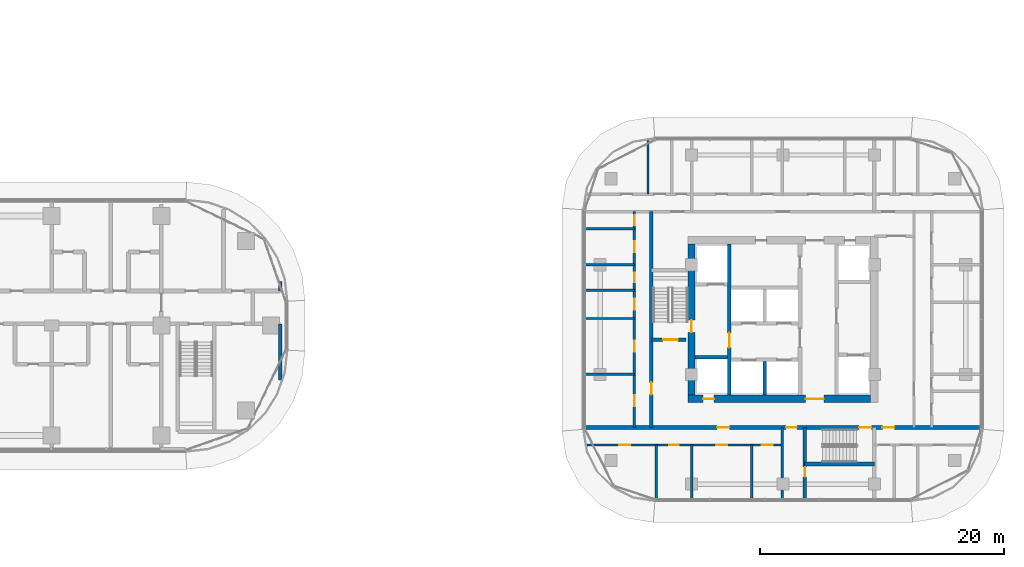
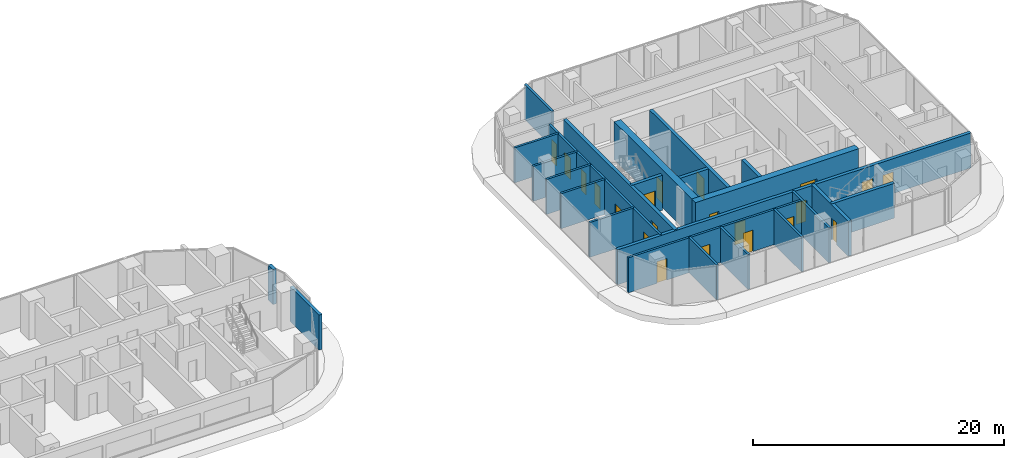
# One storey, part 25 of 39: 24 walls, 21 doors, 21 openings.
"""IFC4 building model written with IfcOpenShell, lengths in metres."""

from ifc_helpers import new_model, si_unit, direction, frame, frame_2d, origin, place, context, subcontext, project, spatial, rectangle, extrude, material, layer, layer_set, type_object, element, fill, save


model = new_model("IFC4")

# Units and contexts
model_context = context("Model", 3, precision=1e-05, world=origin(), true_north=direction((0.0, 1.0)))
body_context = subcontext(model_context, "Body", "Model", "MODEL_VIEW")
ifc_project = project(units=[si_unit("LENGTHUNIT", "METRE"), si_unit("AREAUNIT", "SQUARE_METRE"), si_unit("VOLUMEUNIT", "CUBIC_METRE"), si_unit("PLANEANGLEUNIT", "RADIAN"), si_unit("MASSUNIT", "GRAM", prefix="KILO")], contexts=[model_context])

# Site, building, storey
site_placement = place(None, origin())
site = spatial("IfcSite", under=ifc_project, at=site_placement, CompositionType="ELEMENT")
building_placement = place(site_placement, origin())
building = spatial("IfcBuilding", under=site, at=building_placement, Name="Ogive Portal Towers", CompositionType="ELEMENT")
storey_placement = place(building_placement, frame((0.0, 0.0, 44.60009765625)))
storey = spatial("IfcBuildingStorey", under=building, at=storey_placement, Name="L09", CompositionType="ELEMENT", Elevation=44.60009765625)

# Wall, opening, door
ifc_material_1 = material(Name="Concrete C60/75", Category="concrete")
ifc_layer_1 = layer(ifc_material_1, 0.300048828125)
ifc_layer_set_1 = layer_set([ifc_layer_1], Name="CORE WALL 300 C60")
wall_type_1 = type_object("IfcWallType", Name="CORE WALL 300 C60", PredefinedType="SHEAR", material=ifc_layer_set_1)
wall_1_placement = place(storey_placement, frame((132.10009765625, 24.800048828125, 0.0), z_axis=(0.0, 0.0, 1.0), x_axis=(0.0, 1.0, 0.0)))
wall_1 = element("IfcWall", 1, at=wall_1_placement, inside=storey, type_object=wall_type_1, Name="Tower B core wall BX1 L09", PredefinedType="SHEAR", context=body_context, shape_type="SweptSolid", body=[
    extrude(rectangle(XDim=12.39990234375, YDim=0.300048828125, at=frame_2d((6.199951171875, 0.0))), origin(), (0.0, 0.0, 1.0), 3.699951171875),
])
opening_1_placement = place(wall_1_placement, frame((3.89990234375, 0.0, 0.0)))
opening_1 = element("IfcOpeningElement", 2, at=opening_1_placement, cuts=wall_1, Name="Opening B02-042", PredefinedType="OPENING", context=body_context, shape_type="SweptSolid", body=[
    extrude(rectangle(XDim=1.199951171875, YDim=2.10009765625, at=frame_2d((0.60009765625, 1.050048828125))), frame((0.0, 0.16015625, 0.0), z_axis=(0.0, -1.0, 0.0), x_axis=(1.0, 0.0, 0.0)), (0.0, 0.0, 1.0), 0.320068359375),
])
ifc_material_2 = material(Name="Steel fire door", Category="steel")
door_type_1 = type_object("IfcDoorType", Name="DT-SWING-1200x2100-FD90S", OperationType="SINGLE_SWING_LEFT", PredefinedType="DOOR", material=ifc_material_2)
door_1_placement = place(opening_1_placement, origin())
door_1 = element("IfcDoor", 3, at=door_1_placement, inside=storey, type_object=door_type_1, Name="Door B02-042", OperationType="SINGLE_SWING_LEFT", OverallHeight=2.10009765625, OverallWidth=1.199951171875, PredefinedType="DOOR", context=body_context, shape_type="SweptSolid", body=[
    extrude(rectangle(XDim=1.199951171875, YDim=2.10009765625, at=frame_2d((0.60009765625, 1.050048828125))), frame((0.0, 0.02490234375, 0.0), z_axis=(0.0, -1.0, 0.0), x_axis=(1.0, 0.0, 0.0)), (0.0, 0.0, 1.0), 0.050048828125),
])
fill(opening_1, door_1)

# Walls
wall_2_placement = place(storey_placement, frame((135.0, 24.800048828125, 0.0), z_axis=(0.0, 0.0, 1.0), x_axis=(0.0, 1.0, 0.0)))
element("IfcWall", 4, at=wall_2_placement, inside=storey, type_object=wall_type_1, Name="Tower B core wall BX4 L09", PredefinedType="SHEAR", context=body_context, shape_type="SweptSolid", body=[
    extrude(rectangle(XDim=2.75, YDim=0.300048828125, at=frame_2d((1.375, 0.0))), origin(), (0.0, 0.0, 1.0), 3.699951171875),
])
wall_3_placement = place(storey_placement, frame((129.300048828125, 27.89990234375, 0.0), z_axis=(0.0, 0.0, 1.0), x_axis=(1.0, 0.0, 0.0)))
element("IfcWall", 5, at=wall_3_placement, inside=storey, type_object=wall_type_1, Name="Tower B core wall BY4 L09", PredefinedType="SHEAR", context=body_context, shape_type="SweptSolid", body=[
    extrude(rectangle(XDim=2.64990234375, YDim=0.300048828125, at=frame_2d((1.324951171875, 0.0))), origin(), (0.0, 0.0, 1.0), 3.699951171875),
])

# Wall, opening, door
ifc_layer_2 = layer(ifc_material_1, 0.60009765625)
ifc_layer_set_2 = layer_set([ifc_layer_2], Name="CORE WALL 600 C60")
wall_type_2 = type_object("IfcWallType", Name="CORE WALL 600 C60", PredefinedType="SHEAR", material=ifc_layer_set_2)
wall_4_placement = place(storey_placement, frame((129.0, 24.800048828125, 0.0), z_axis=(0.0, 0.0, 1.0), x_axis=(0.0, 1.0, 0.0)))
wall_4 = element("IfcWall", 6, at=wall_4_placement, inside=storey, type_object=wall_type_2, Name="Tower B core wall BW L09", PredefinedType="SHEAR", context=body_context, shape_type="SweptSolid", body=[
    extrude(rectangle(XDim=12.39990234375, YDim=0.60009765625, at=frame_2d((6.199951171875, 0.0))), origin(), (0.0, 0.0, 1.0), 3.699951171875),
])
opening_2_placement = place(wall_4_placement, frame((5.14990234375, 0.0, 0.0)))
opening_2 = element("IfcOpeningElement", 7, at=opening_2_placement, cuts=wall_4, Name="Opening B02-044", PredefinedType="OPENING", context=body_context, shape_type="SweptSolid", body=[
    extrude(rectangle(XDim=1.0, YDim=2.10009765625, at=frame_2d((0.5, 1.050048828125))), frame((0.0, 0.31005859375, 0.0), z_axis=(0.0, -1.0, 0.0), x_axis=(1.0, 0.0, 0.0)), (0.0, 0.0, 1.0), 0.6201171875),
])
door_type_2 = type_object("IfcDoorType", Name="DT-SWING-1000x2100-FD90S", OperationType="SINGLE_SWING_LEFT", PredefinedType="DOOR", material=ifc_material_2)
door_2_placement = place(opening_2_placement, origin())
door_2 = element("IfcDoor", 8, at=door_2_placement, inside=storey, type_object=door_type_2, Name="Door B02-044", OperationType="SINGLE_SWING_RIGHT", OverallHeight=2.10009765625, OverallWidth=1.0, PredefinedType="DOOR", context=body_context, shape_type="SweptSolid", body=[
    extrude(rectangle(XDim=1.0, YDim=2.10009765625, at=frame_2d((0.5, 1.050048828125))), frame((0.0, 0.02490234375, 0.0), z_axis=(0.0, -1.0, 0.0), x_axis=(1.0, 0.0, 0.0)), (0.0, 0.0, 1.0), 0.050048828125),
])
fill(opening_2, door_2)

# Wall, openings, doors
wall_5_placement = place(storey_placement, frame((128.699951171875, 24.5, 0.0), z_axis=(0.0, 0.0, 1.0), x_axis=(1.0, 0.0, 0.0)))
wall_5 = element("IfcWall", 9, at=wall_5_placement, inside=storey, type_object=wall_type_2, Name="Tower B core wall BS L09", PredefinedType="SHEAR", context=body_context, shape_type="SweptSolid", body=[
    extrude(rectangle(XDim=15.0, YDim=0.60009765625, at=frame_2d((7.5, 0.0))), origin(), (0.0, 0.0, 1.0), 3.699951171875),
])
opening_3_placement = place(wall_5_placement, frame((9.64990234375, 0.0, 0.0)))
opening_3 = element("IfcOpeningElement", 10, at=opening_3_placement, cuts=wall_5, Name="Opening B02-045", PredefinedType="OPENING", context=body_context, shape_type="SweptSolid", body=[
    extrude(rectangle(XDim=1.5, YDim=2.10009765625, at=frame_2d((0.75, 1.050048828125))), frame((0.0, 0.31005859375, 0.0), z_axis=(0.0, -1.0, 0.0), x_axis=(1.0, 0.0, 0.0)), (0.0, 0.0, 1.0), 0.6201171875),
])
opening_4_placement = place(wall_5_placement, frame((1.25, 0.0, 0.0)))
opening_4 = element("IfcOpeningElement", 11, at=opening_4_placement, cuts=wall_5, Name="Opening B02-047", PredefinedType="OPENING", context=body_context, shape_type="SweptSolid", body=[
    extrude(rectangle(XDim=0.89990234375, YDim=2.10009765625, at=frame_2d((0.449951171875, 1.050048828125))), frame((0.0, 0.31005859375, 0.0), z_axis=(0.0, -1.0, 0.0), x_axis=(1.0, 0.0, 0.0)), (0.0, 0.0, 1.0), 0.6201171875),
])
door_type_3 = type_object("IfcDoorType", Name="DT-SWING-1500x2100-FD90S", OperationType="SINGLE_SWING_LEFT", PredefinedType="DOOR", material=ifc_material_2)
door_3_placement = place(opening_3_placement, origin())
door_3 = element("IfcDoor", 12, at=door_3_placement, inside=storey, type_object=door_type_3, Name="Door B02-045", OperationType="SINGLE_SWING_LEFT", OverallHeight=2.10009765625, OverallWidth=1.5, PredefinedType="DOOR", context=body_context, shape_type="SweptSolid", body=[
    extrude(rectangle(XDim=1.5, YDim=2.10009765625, at=frame_2d((0.75, 1.050048828125))), frame((0.0, 0.02490234375, 0.0), z_axis=(0.0, -1.0, 0.0), x_axis=(1.0, 0.0, 0.0)), (0.0, 0.0, 1.0), 0.050048828125),
])
fill(opening_3, door_3)
door_type_4 = type_object("IfcDoorType", Name="DT-SWING-900x2100-FD90S", OperationType="SINGLE_SWING_LEFT", PredefinedType="DOOR", material=ifc_material_2)
door_4_placement = place(opening_4_placement, origin())
door_4 = element("IfcDoor", 13, at=door_4_placement, inside=storey, type_object=door_type_4, Name="Riser access door B02-047", OperationType="SINGLE_SWING_LEFT", OverallHeight=2.10009765625, OverallWidth=0.89990234375, PredefinedType="DOOR", context=body_context, shape_type="SweptSolid", body=[
    extrude(rectangle(XDim=0.89990234375, YDim=2.10009765625, at=frame_2d((0.449951171875, 1.050048828125))), frame((0.0, 0.02490234375, 0.0), z_axis=(0.0, -1.0, 0.0), x_axis=(1.0, 0.0, 0.0)), (0.0, 0.0, 1.0), 0.050048828125),
])
fill(opening_4, door_4)

# Wall
ifc_material_3 = material(Name="Concrete C50/60", Category="concrete")
ifc_layer_3 = layer(ifc_material_3, 0.300048828125)
ifc_layer_set_3 = layer_set([ifc_layer_3], Name="STAIR WALL 300 C50")
wall_type_3 = type_object("IfcWallType", Name="STAIR WALL 300 C50", PredefinedType="SHEAR", material=ifc_layer_set_3)
wall_6_placement = place(storey_placement, frame((138.25, 19.14990234375, 0.0), z_axis=(0.0, 0.0, 1.0), x_axis=(1.0, 0.0, 0.0)))
element("IfcWall", 14, at=wall_6_placement, inside=storey, type_object=wall_type_3, Name="Stair wall ST-B2 L09", PredefinedType="SHEAR", context=body_context, shape_type="SweptSolid", body=[
    extrude(rectangle(XDim=5.75, YDim=0.300048828125, at=frame_2d((2.875, 0.0))), origin(), (0.0, 0.0, 1.0), 3.39990234375),
])

# Wall, openings, doors
wall_7_placement = place(storey_placement, frame((120.235107421875, 22.14990234375, 0.0), z_axis=(0.0, 0.0, 1.0), x_axis=(1.0, 0.0, 0.0)))
wall_7 = element("IfcWall", 15, at=wall_7_placement, inside=storey, type_object=wall_type_3, Name="Stair wall ST-B2 L09", PredefinedType="SHEAR", context=body_context, shape_type="SweptSolid", body=[
    extrude(rectangle(XDim=32.52978515625, YDim=0.300048828125, at=frame_2d((16.264892578125, 0.0))), origin(), (0.0, 0.0, 1.0), 3.39990234375),
])
opening_5_placement = place(wall_7_placement, frame((22.514892578125, 0.0, 0.0)))
opening_5 = element("IfcOpeningElement", 16, at=opening_5_placement, cuts=wall_7, Name="Opening B02-003", PredefinedType="OPENING", context=body_context, shape_type="SweptSolid", body=[
    extrude(rectangle(XDim=1.0, YDim=2.10009765625, at=frame_2d((0.5, 1.050048828125))), frame((0.0, 0.16015625, 0.0), z_axis=(0.0, -1.0, 0.0), x_axis=(1.0, 0.0, 0.0)), (0.0, 0.0, 1.0), 0.320068359375),
])
opening_6_placement = place(wall_7_placement, frame((10.864990234375, 0.0, 0.0)))
opening_6 = element("IfcOpeningElement", 17, at=opening_6_placement, cuts=wall_7, Name="Opening B02-017", PredefinedType="OPENING", context=body_context, shape_type="SweptSolid", body=[
    extrude(rectangle(XDim=1.0, YDim=2.10009765625, at=frame_2d((0.5, 1.050048828125))), frame((0.0, 0.16015625, 0.0), z_axis=(0.0, -1.0, 0.0), x_axis=(1.0, 0.0, 0.0)), (0.0, 0.0, 1.0), 0.320068359375),
])
opening_7_placement = place(wall_7_placement, frame((24.4150390625, 0.0, 0.0)))
opening_7 = element("IfcOpeningElement", 18, at=opening_7_placement, cuts=wall_7, Name="Opening B02-022", PredefinedType="OPENING", context=body_context, shape_type="SweptSolid", body=[
    extrude(rectangle(XDim=1.0, YDim=2.10009765625, at=frame_2d((0.5, 1.050048828125))), frame((0.0, 0.16015625, 0.0), z_axis=(0.0, -1.0, 0.0), x_axis=(1.0, 0.0, 0.0)), (0.0, 0.0, 1.0), 0.320068359375),
])
opening_8_placement = place(wall_7_placement, frame((16.514892578125, 0.0, 0.0)))
opening_8 = element("IfcOpeningElement", 19, at=opening_8_placement, cuts=wall_7, Name="Opening B02-026", PredefinedType="OPENING", context=body_context, shape_type="SweptSolid", body=[
    extrude(rectangle(XDim=0.89990234375, YDim=2.10009765625, at=frame_2d((0.449951171875, 1.050048828125))), frame((0.0, 0.16015625, 0.0), z_axis=(0.0, -1.0, 0.0), x_axis=(1.0, 0.0, 0.0)), (0.0, 0.0, 1.0), 0.320068359375),
])
door_5_placement = place(opening_5_placement, origin())
door_5 = element("IfcDoor", 20, at=door_5_placement, inside=storey, type_object=door_type_2, Name="Door B02-003", OperationType="SINGLE_SWING_LEFT", OverallHeight=2.10009765625, OverallWidth=1.0, PredefinedType="DOOR", context=body_context, shape_type="SweptSolid", body=[
    extrude(rectangle(XDim=1.0, YDim=2.10009765625, at=frame_2d((0.5, 1.050048828125))), frame((0.0, 0.02490234375, 0.0), z_axis=(0.0, -1.0, 0.0), x_axis=(1.0, 0.0, 0.0)), (0.0, 0.0, 1.0), 0.050048828125),
])
fill(opening_5, door_5)
door_6_placement = place(opening_6_placement, origin())
door_6 = element("IfcDoor", 21, at=door_6_placement, inside=storey, type_object=door_type_2, Name="Door B02-017", OperationType="SINGLE_SWING_LEFT", OverallHeight=2.10009765625, OverallWidth=1.0, PredefinedType="DOOR", context=body_context, shape_type="SweptSolid", body=[
    extrude(rectangle(XDim=1.0, YDim=2.10009765625, at=frame_2d((0.5, 1.050048828125))), frame((0.0, 0.02490234375, 0.0), z_axis=(0.0, -1.0, 0.0), x_axis=(1.0, 0.0, 0.0)), (0.0, 0.0, 1.0), 0.050048828125),
])
fill(opening_6, door_6)
door_7_placement = place(opening_7_placement, origin())
door_7 = element("IfcDoor", 22, at=door_7_placement, inside=storey, type_object=door_type_2, Name="Door B02-022", OperationType="SINGLE_SWING_RIGHT", OverallHeight=2.10009765625, OverallWidth=1.0, PredefinedType="DOOR", context=body_context, shape_type="SweptSolid", body=[
    extrude(rectangle(XDim=1.0, YDim=2.10009765625, at=frame_2d((0.5, 1.050048828125))), frame((0.0, 0.02490234375, 0.0), z_axis=(0.0, -1.0, 0.0), x_axis=(1.0, 0.0, 0.0)), (0.0, 0.0, 1.0), 0.050048828125),
])
fill(opening_7, door_7)
door_8_placement = place(opening_8_placement, origin())
door_8 = element("IfcDoor", 23, at=door_8_placement, inside=storey, type_object=door_type_4, Name="Door B02-026", OperationType="SINGLE_SWING_RIGHT", OverallHeight=2.10009765625, OverallWidth=0.89990234375, PredefinedType="DOOR", context=body_context, shape_type="SweptSolid", body=[
    extrude(rectangle(XDim=0.89990234375, YDim=2.10009765625, at=frame_2d((0.449951171875, 1.050048828125))), frame((0.0, 0.02490234375, 0.0), z_axis=(0.0, -1.0, 0.0), x_axis=(1.0, 0.0, 0.0)), (0.0, 0.0, 1.0), 0.050048828125),
])
fill(opening_8, door_8)

# Wall, opening, door
wall_8_placement = place(storey_placement, frame((125.699951171875, 29.35009765625, 0.0), z_axis=(0.0, 0.0, 1.0), x_axis=(1.0, 0.0, 0.0)))
wall_8 = element("IfcWall", 24, at=wall_8_placement, inside=storey, type_object=wall_type_3, Name="Stair wall ST-B1 L09", PredefinedType="SHEAR", context=body_context, shape_type="SweptSolid", body=[
    extrude(rectangle(XDim=2.830078125, YDim=0.300048828125, at=frame_2d((1.4150390625, 0.0))), origin(), (0.0, 0.0, 1.0), 3.39990234375),
])
opening_9_placement = place(wall_8_placement, frame((0.97509765625, 0.0, 0.0)))
opening_9 = element("IfcOpeningElement", 25, at=opening_9_placement, cuts=wall_8, Name="Opening B02-002", PredefinedType="OPENING", context=body_context, shape_type="SweptSolid", body=[
    extrude(rectangle(XDim=1.199951171875, YDim=2.10009765625, at=frame_2d((0.60009765625, 1.050048828125))), frame((0.0, 0.16015625, 0.0), z_axis=(0.0, -1.0, 0.0), x_axis=(1.0, 0.0, 0.0)), (0.0, 0.0, 1.0), 0.320068359375),
])
door_9_placement = place(opening_9_placement, origin())
door_9 = element("IfcDoor", 26, at=door_9_placement, inside=storey, type_object=door_type_1, Name="Door B02-002", OperationType="SINGLE_SWING_RIGHT", OverallHeight=2.10009765625, OverallWidth=1.199951171875, PredefinedType="DOOR", context=body_context, shape_type="SweptSolid", body=[
    extrude(rectangle(XDim=1.199951171875, YDim=2.10009765625, at=frame_2d((0.60009765625, 1.050048828125))), frame((0.0, 0.02490234375, 0.0), z_axis=(0.0, -1.0, 0.0), x_axis=(1.0, 0.0, 0.0)), (0.0, 0.0, 1.0), 0.050048828125),
])
fill(opening_9, door_9)

wall_9_placement = place(storey_placement, frame((125.699951171875, 22.14990234375, 0.0), z_axis=(0.0, 0.0, 1.0), x_axis=(0.0, 1.0, 0.0)))
wall_9 = element("IfcWall", 27, at=wall_9_placement, inside=storey, type_object=wall_type_3, Name="Stair wall ST-B1 L09", PredefinedType="SHEAR", context=body_context, shape_type="SweptSolid", body=[
    extrude(rectangle(XDim=17.7001953125, YDim=0.300048828125, at=frame_2d((8.85009765625, 0.0))), origin(), (0.0, 0.0, 1.0), 3.39990234375),
])
opening_10_placement = place(wall_9_placement, frame((2.699951171875, 0.0, 0.0)))
opening_10 = element("IfcOpeningElement", 28, at=opening_10_placement, cuts=wall_9, Name="Opening B02-028", PredefinedType="OPENING", context=body_context, shape_type="SweptSolid", body=[
    extrude(rectangle(XDim=1.0, YDim=2.10009765625, at=frame_2d((0.5, 1.050048828125))), frame((0.0, 0.16015625, 0.0), z_axis=(0.0, -1.0, 0.0), x_axis=(1.0, 0.0, 0.0)), (0.0, 0.0, 1.0), 0.320068359375),
])
door_10_placement = place(opening_10_placement, origin())
door_10 = element("IfcDoor", 29, at=door_10_placement, inside=storey, type_object=door_type_2, Name="Door B02-028", OperationType="SINGLE_SWING_RIGHT", OverallHeight=2.10009765625, OverallWidth=1.0, PredefinedType="DOOR", context=body_context, shape_type="SweptSolid", body=[
    extrude(rectangle(XDim=1.0, YDim=2.10009765625, at=frame_2d((0.5, 1.050048828125))), frame((0.0, 0.02490234375, 0.0), z_axis=(0.0, -1.0, 0.0), x_axis=(1.0, 0.0, 0.0)), (0.0, 0.0, 1.0), 0.050048828125),
])
fill(opening_10, door_10)

wall_10_placement = place(storey_placement, frame((138.300048828125, 16.235107421875, 0.0), z_axis=(0.0, 0.0, 1.0), x_axis=(0.0, 1.0, 0.0)))
wall_10 = element("IfcWall", 30, at=wall_10_placement, inside=storey, type_object=wall_type_3, Name="Stair wall ST-B2 L09", PredefinedType="SHEAR", context=body_context, shape_type="SweptSolid", body=[
    extrude(rectangle(XDim=5.914794921875, YDim=0.300048828125, at=frame_2d((2.95751953125, 0.0))), origin(), (0.0, 0.0, 1.0), 3.39990234375),
])
opening_11_placement = place(wall_10_placement, frame((1.864990234375, 0.0, 0.0)))
opening_11 = element("IfcOpeningElement", 31, at=opening_11_placement, cuts=wall_10, Name="Opening B02-027", PredefinedType="OPENING", context=body_context, shape_type="SweptSolid", body=[
    extrude(rectangle(XDim=0.800048828125, YDim=2.10009765625, at=frame_2d((0.39990234375, 1.050048828125))), frame((0.0, 0.16015625, 0.0), z_axis=(0.0, -1.0, 0.0), x_axis=(1.0, 0.0, 0.0)), (0.0, 0.0, 1.0), 0.320068359375),
])
door_type_5 = type_object("IfcDoorType", Name="DT-SWING-800x2100-FD90S", OperationType="SINGLE_SWING_LEFT", PredefinedType="DOOR", material=ifc_material_2)
door_11_placement = place(opening_11_placement, origin())
door_11 = element("IfcDoor", 32, at=door_11_placement, inside=storey, type_object=door_type_5, Name="Door B02-027", OperationType="SINGLE_SWING_LEFT", OverallHeight=2.10009765625, OverallWidth=0.800048828125, PredefinedType="DOOR", context=body_context, shape_type="SweptSolid", body=[
    extrude(rectangle(XDim=0.800048828125, YDim=2.10009765625, at=frame_2d((0.39990234375, 1.050048828125))), frame((0.0, 0.02490234375, 0.0), z_axis=(0.0, -1.0, 0.0), x_axis=(1.0, 0.0, 0.0)), (0.0, 0.0, 1.0), 0.050048828125),
])
fill(opening_11, door_11)

# Wall, openings, doors
ifc_material_4 = material(Name="Gypsum board partition on steel studs", Category="steel")
ifc_layer_4 = layer(ifc_material_4, 0.199951171875)
ifc_layer_set_4 = layer_set([ifc_layer_4], Name="WT-PART-200-EI 60")
wall_type_4 = type_object("IfcWallType", Name="WT-PART-200-EI 60", PredefinedType="PARTITIONING", material=ifc_layer_set_4)
wall_11_placement = place(storey_placement, frame((120.43994140625, 20.7099609375, 0.0), z_axis=(0.0, 0.0, 1.0), x_axis=(1.0, 0.0, 0.0)))
wall_11 = element("IfcWall", 33, at=wall_11_placement, inside=storey, type_object=wall_type_4, Name="Wall L09:w002", PredefinedType="PARTITIONING", context=body_context, shape_type="SweptSolid", body=[
    extrude(rectangle(XDim=16.06005859375, YDim=0.199951171875, at=frame_2d((8.030029296875, 0.0))), origin(), (0.0, 0.0, 1.0), 3.39990234375),
])
opening_12_placement = place(wall_11_placement, frame((2.636962890625, 0.0, 0.0)))
opening_12 = element("IfcOpeningElement", 34, at=opening_12_placement, cuts=wall_11, Name="Opening B02-018", PredefinedType="OPENING", context=body_context, shape_type="SweptSolid", body=[
    extrude(rectangle(XDim=0.89990234375, YDim=2.10009765625, at=frame_2d((0.449951171875, 1.050048828125))), frame((0.0, 0.10986328125, 0.0), z_axis=(0.0, -1.0, 0.0), x_axis=(1.0, 0.0, 0.0)), (0.0, 0.0, 1.0), 0.219970703125),
])
opening_13_placement = place(wall_11_placement, frame((6.718994140625, 0.0, 0.0)))
opening_13 = element("IfcOpeningElement", 35, at=opening_13_placement, cuts=wall_11, Name="Opening B02-019", PredefinedType="OPENING", context=body_context, shape_type="SweptSolid", body=[
    extrude(rectangle(XDim=0.800048828125, YDim=2.10009765625, at=frame_2d((0.39990234375, 1.050048828125))), frame((0.0, 0.10986328125, 0.0), z_axis=(0.0, -1.0, 0.0), x_axis=(1.0, 0.0, 0.0)), (0.0, 0.0, 1.0), 0.219970703125),
])
opening_14_placement = place(wall_11_placement, frame((10.576904296875, 0.0, 0.0)))
opening_14 = element("IfcOpeningElement", 36, at=opening_14_placement, cuts=wall_11, Name="Opening B02-020", PredefinedType="OPENING", context=body_context, shape_type="SweptSolid", body=[
    extrude(rectangle(XDim=0.89990234375, YDim=2.10009765625, at=frame_2d((0.449951171875, 1.050048828125))), frame((0.0, 0.10986328125, 0.0), z_axis=(0.0, -1.0, 0.0), x_axis=(1.0, 0.0, 0.0)), (0.0, 0.0, 1.0), 0.219970703125),
])
opening_15_placement = place(wall_11_placement, frame((14.326904296875, 0.0, 0.0)))
opening_15 = element("IfcOpeningElement", 37, at=opening_15_placement, cuts=wall_11, Name="Opening B02-021", PredefinedType="OPENING", context=body_context, shape_type="SweptSolid", body=[
    extrude(rectangle(XDim=0.89990234375, YDim=2.10009765625, at=frame_2d((0.449951171875, 1.050048828125))), frame((0.0, 0.10986328125, 0.0), z_axis=(0.0, -1.0, 0.0), x_axis=(1.0, 0.0, 0.0)), (0.0, 0.0, 1.0), 0.219970703125),
])
door_type_6 = type_object("IfcDoorType", Name="DT-SWING-800x2100-FD60S", OperationType="SINGLE_SWING_LEFT", PredefinedType="DOOR", material=ifc_material_2)
door_12_placement = place(opening_13_placement, origin())
door_12 = element("IfcDoor", 38, at=door_12_placement, inside=storey, type_object=door_type_6, Name="Door B02-019", OperationType="SINGLE_SWING_LEFT", OverallHeight=2.10009765625, OverallWidth=0.800048828125, PredefinedType="DOOR", context=body_context, shape_type="SweptSolid", body=[
    extrude(rectangle(XDim=0.800048828125, YDim=2.10009765625, at=frame_2d((0.39990234375, 1.050048828125))), frame((0.0, 0.02490234375, 0.0), z_axis=(0.0, -1.0, 0.0), x_axis=(1.0, 0.0, 0.0)), (0.0, 0.0, 1.0), 0.050048828125),
])
fill(opening_13, door_12)
door_type_7 = type_object("IfcDoorType", Name="DT-SWING-900x2100-FD60S", OperationType="SINGLE_SWING_LEFT", PredefinedType="DOOR", material=ifc_material_2)
door_13_placement = place(opening_12_placement, origin())
door_13 = element("IfcDoor", 39, at=door_13_placement, inside=storey, type_object=door_type_7, Name="Door B02-018", OperationType="SINGLE_SWING_RIGHT", OverallHeight=2.10009765625, OverallWidth=0.89990234375, PredefinedType="DOOR", context=body_context, shape_type="SweptSolid", body=[
    extrude(rectangle(XDim=0.89990234375, YDim=2.10009765625, at=frame_2d((0.449951171875, 1.050048828125))), frame((0.0, 0.02490234375, 0.0), z_axis=(0.0, -1.0, 0.0), x_axis=(1.0, 0.0, 0.0)), (0.0, 0.0, 1.0), 0.050048828125),
])
fill(opening_12, door_13)
door_14_placement = place(opening_14_placement, origin())
door_14 = element("IfcDoor", 40, at=door_14_placement, inside=storey, type_object=door_type_7, Name="Door B02-020", OperationType="SINGLE_SWING_RIGHT", OverallHeight=2.10009765625, OverallWidth=0.89990234375, PredefinedType="DOOR", context=body_context, shape_type="SweptSolid", body=[
    extrude(rectangle(XDim=0.89990234375, YDim=2.10009765625, at=frame_2d((0.449951171875, 1.050048828125))), frame((0.0, 0.02490234375, 0.0), z_axis=(0.0, -1.0, 0.0), x_axis=(1.0, 0.0, 0.0)), (0.0, 0.0, 1.0), 0.050048828125),
])
fill(opening_14, door_14)
door_15_placement = place(opening_15_placement, origin())
door_15 = element("IfcDoor", 41, at=door_15_placement, inside=storey, type_object=door_type_7, Name="Door B02-021", OperationType="SINGLE_SWING_LEFT", OverallHeight=2.10009765625, OverallWidth=0.89990234375, PredefinedType="DOOR", context=body_context, shape_type="SweptSolid", body=[
    extrude(rectangle(XDim=0.89990234375, YDim=2.10009765625, at=frame_2d((0.449951171875, 1.050048828125))), frame((0.0, 0.02490234375, 0.0), z_axis=(0.0, -1.0, 0.0), x_axis=(1.0, 0.0, 0.0)), (0.0, 0.0, 1.0), 0.050048828125),
])
fill(opening_15, door_15)

# Walls
for number, where, z_axis, x_axis, name in (
    (42, (120.235107421875, 26.5, 0.0), (0.0, 0.0, 1.0), (1.0, 0.0, 0.0), "Wall L09:w008"),
    (43, (120.235107421875, 31.091064453125, 0.0), (0.0, 0.0, 1.0), (1.0, 0.0, 0.0), "Wall L09:w011"),
    (44, (120.235107421875, 33.39111328125, 0.0), (0.0, 0.0, 1.0), (1.0, 0.0, 0.0), "Wall L09:w013"),
    (45, (120.235107421875, 35.5, 0.0), (0.0, 0.0, 1.0), (1.0, 0.0, 0.0), "Wall L09:w015"),
    (46, (120.235107421875, 38.4560546875, 0.0), (0.0, 0.0, 1.0), (1.0, 0.0, 0.0), "Wall L09:w019"),
):
    element("IfcWall", number, at=place(storey_placement, frame(where, z_axis=z_axis, x_axis=x_axis)), inside=storey, type_object=wall_type_4, Name=name, PredefinedType="PARTITIONING", context=body_context, shape_type="SweptSolid", body=[
        extrude(rectangle(XDim=4.074951171875, YDim=0.199951171875, at=frame_2d((2.03759765625, 0.0))), origin(), (0.0, 0.0, 1.0), 3.39990234375),
    ])

# Wall, openings, doors
wall_12_placement = place(storey_placement, frame((124.31005859375, 22.14990234375, 0.0), z_axis=(0.0, 0.0, 1.0), x_axis=(0.0, 1.0, 0.0)))
wall_12 = element("IfcWall", 47, at=wall_12_placement, inside=storey, type_object=wall_type_4, Name="Wall L09:w022", PredefinedType="PARTITIONING", context=body_context, shape_type="SweptSolid", body=[
    extrude(rectangle(XDim=17.7001953125, YDim=0.199951171875, at=frame_2d((8.85009765625, 0.0))), origin(), (0.0, 0.0, 1.0), 3.39990234375),
])
opening_16_placement = place(wall_12_placement, frame((1.72509765625, 0.0, 0.0)))
opening_16 = element("IfcOpeningElement", 48, at=opening_16_placement, cuts=wall_12, Name="Opening B02-029", PredefinedType="OPENING", context=body_context, shape_type="SweptSolid", body=[
    extrude(rectangle(XDim=0.89990234375, YDim=2.10009765625, at=frame_2d((0.449951171875, 1.050048828125))), frame((0.0, 0.10986328125, 0.0), z_axis=(0.0, -1.0, 0.0), x_axis=(1.0, 0.0, 0.0)), (0.0, 0.0, 1.0), 0.219970703125),
])
opening_17_placement = place(wall_12_placement, frame((6.195068359375, 0.0, 0.0)))
opening_17 = element("IfcOpeningElement", 49, at=opening_17_placement, cuts=wall_12, Name="Opening B02-030", PredefinedType="OPENING", context=body_context, shape_type="SweptSolid", body=[
    extrude(rectangle(XDim=0.89990234375, YDim=2.10009765625, at=frame_2d((0.449951171875, 1.050048828125))), frame((0.0, 0.10986328125, 0.0), z_axis=(0.0, -1.0, 0.0), x_axis=(1.0, 0.0, 0.0)), (0.0, 0.0, 1.0), 0.219970703125),
])
opening_18_placement = place(wall_12_placement, frame((9.64111328125, 0.0, 0.0)))
opening_18 = element("IfcOpeningElement", 50, at=opening_18_placement, cuts=wall_12, Name="Opening B02-031", PredefinedType="OPENING", context=body_context, shape_type="SweptSolid", body=[
    extrude(rectangle(XDim=0.89990234375, YDim=2.10009765625, at=frame_2d((0.449951171875, 1.050048828125))), frame((0.0, 0.10986328125, 0.0), z_axis=(0.0, -1.0, 0.0), x_axis=(1.0, 0.0, 0.0)), (0.0, 0.0, 1.0), 0.219970703125),
])
opening_19_placement = place(wall_12_placement, frame((11.89501953125, 0.0, 0.0)))
opening_19 = element("IfcOpeningElement", 51, at=opening_19_placement, cuts=wall_12, Name="Opening B02-032", PredefinedType="OPENING", context=body_context, shape_type="SweptSolid", body=[
    extrude(rectangle(XDim=0.800048828125, YDim=2.10009765625, at=frame_2d((0.39990234375, 1.050048828125))), frame((0.0, 0.10986328125, 0.0), z_axis=(0.0, -1.0, 0.0), x_axis=(1.0, 0.0, 0.0)), (0.0, 0.0, 1.0), 0.219970703125),
])
opening_20_placement = place(wall_12_placement, frame((14.3779296875, 0.0, 0.0)))
opening_20 = element("IfcOpeningElement", 52, at=opening_20_placement, cuts=wall_12, Name="Opening B02-033", PredefinedType="OPENING", context=body_context, shape_type="SweptSolid", body=[
    extrude(rectangle(XDim=0.89990234375, YDim=2.10009765625, at=frame_2d((0.449951171875, 1.050048828125))), frame((0.0, 0.10986328125, 0.0), z_axis=(0.0, -1.0, 0.0), x_axis=(1.0, 0.0, 0.0)), (0.0, 0.0, 1.0), 0.219970703125),
])
opening_21_placement = place(wall_12_placement, frame((16.60302734375, 0.0, 0.0)))
opening_21 = element("IfcOpeningElement", 53, at=opening_21_placement, cuts=wall_12, Name="Opening B02-034", PredefinedType="OPENING", context=body_context, shape_type="SweptSolid", body=[
    extrude(rectangle(XDim=0.800048828125, YDim=2.10009765625, at=frame_2d((0.39990234375, 1.050048828125))), frame((0.0, 0.10986328125, 0.0), z_axis=(0.0, -1.0, 0.0), x_axis=(1.0, 0.0, 0.0)), (0.0, 0.0, 1.0), 0.219970703125),
])
door_16_placement = place(opening_19_placement, origin())
door_16 = element("IfcDoor", 54, at=door_16_placement, inside=storey, type_object=door_type_6, Name="Door B02-032", OperationType="SINGLE_SWING_RIGHT", OverallHeight=2.10009765625, OverallWidth=0.800048828125, PredefinedType="DOOR", context=body_context, shape_type="SweptSolid", body=[
    extrude(rectangle(XDim=0.800048828125, YDim=2.10009765625, at=frame_2d((0.39990234375, 1.050048828125))), frame((0.0, 0.02490234375, 0.0), z_axis=(0.0, -1.0, 0.0), x_axis=(1.0, 0.0, 0.0)), (0.0, 0.0, 1.0), 0.050048828125),
])
fill(opening_19, door_16)
door_17_placement = place(opening_21_placement, origin())
door_17 = element("IfcDoor", 55, at=door_17_placement, inside=storey, type_object=door_type_6, Name="Door B02-034", OperationType="SINGLE_SWING_RIGHT", OverallHeight=2.10009765625, OverallWidth=0.800048828125, PredefinedType="DOOR", context=body_context, shape_type="SweptSolid", body=[
    extrude(rectangle(XDim=0.800048828125, YDim=2.10009765625, at=frame_2d((0.39990234375, 1.050048828125))), frame((0.0, 0.02490234375, 0.0), z_axis=(0.0, -1.0, 0.0), x_axis=(1.0, 0.0, 0.0)), (0.0, 0.0, 1.0), 0.050048828125),
])
fill(opening_21, door_17)
door_18_placement = place(opening_16_placement, origin())
door_18 = element("IfcDoor", 56, at=door_18_placement, inside=storey, type_object=door_type_7, Name="Door B02-029", OperationType="SINGLE_SWING_LEFT", OverallHeight=2.10009765625, OverallWidth=0.89990234375, PredefinedType="DOOR", context=body_context, shape_type="SweptSolid", body=[
    extrude(rectangle(XDim=0.89990234375, YDim=2.10009765625, at=frame_2d((0.449951171875, 1.050048828125))), frame((0.0, 0.02490234375, 0.0), z_axis=(0.0, -1.0, 0.0), x_axis=(1.0, 0.0, 0.0)), (0.0, 0.0, 1.0), 0.050048828125),
])
fill(opening_16, door_18)
door_19_placement = place(opening_17_placement, origin())
door_19 = element("IfcDoor", 57, at=door_19_placement, inside=storey, type_object=door_type_7, Name="Door B02-030", OperationType="SINGLE_SWING_RIGHT", OverallHeight=2.10009765625, OverallWidth=0.89990234375, PredefinedType="DOOR", context=body_context, shape_type="SweptSolid", body=[
    extrude(rectangle(XDim=0.89990234375, YDim=2.10009765625, at=frame_2d((0.449951171875, 1.050048828125))), frame((0.0, 0.02490234375, 0.0), z_axis=(0.0, -1.0, 0.0), x_axis=(1.0, 0.0, 0.0)), (0.0, 0.0, 1.0), 0.050048828125),
])
fill(opening_17, door_19)
door_20_placement = place(opening_18_placement, origin())
door_20 = element("IfcDoor", 58, at=door_20_placement, inside=storey, type_object=door_type_7, Name="Door B02-031", OperationType="SINGLE_SWING_LEFT", OverallHeight=2.10009765625, OverallWidth=0.89990234375, PredefinedType="DOOR", context=body_context, shape_type="SweptSolid", body=[
    extrude(rectangle(XDim=0.89990234375, YDim=2.10009765625, at=frame_2d((0.449951171875, 1.050048828125))), frame((0.0, 0.02490234375, 0.0), z_axis=(0.0, -1.0, 0.0), x_axis=(1.0, 0.0, 0.0)), (0.0, 0.0, 1.0), 0.050048828125),
])
fill(opening_18, door_20)
door_21_placement = place(opening_20_placement, origin())
door_21 = element("IfcDoor", 59, at=door_21_placement, inside=storey, type_object=door_type_7, Name="Door B02-033", OperationType="SINGLE_SWING_LEFT", OverallHeight=2.10009765625, OverallWidth=0.89990234375, PredefinedType="DOOR", context=body_context, shape_type="SweptSolid", body=[
    extrude(rectangle(XDim=0.89990234375, YDim=2.10009765625, at=frame_2d((0.449951171875, 1.050048828125))), frame((0.0, 0.02490234375, 0.0), z_axis=(0.0, -1.0, 0.0), x_axis=(1.0, 0.0, 0.0)), (0.0, 0.0, 1.0), 0.050048828125),
])
fill(opening_20, door_21)

# Walls
wall_13_placement = place(storey_placement, frame((125.428955078125, 41.2900390625, 0.0), z_axis=(0.0, 0.0, 1.0), x_axis=(0.0, 1.0, 0.0)))
element("IfcWall", 60, at=wall_13_placement, inside=storey, type_object=wall_type_4, Name="Wall L09:w023", PredefinedType="PARTITIONING", context=body_context, shape_type="SweptSolid", body=[
    extrude(rectangle(XDim=4.384033203125, YDim=0.199951171875, at=frame_2d((2.19189453125, 0.0))), origin(), (0.0, 0.0, 1.0), 3.39990234375),
])
for number, where, z_axis, x_axis, name in (
    (61, (126.117919921875, 16.235107421875, 0.0), (0.0, 0.0, 1.0), (0.0, 1.0, 0.0), "Wall L09:w025"),
    (62, (129.0, 16.235107421875, 0.0), (0.0, 0.0, 1.0), (0.0, 1.0, 0.0), "Wall L09:w029"),
    (63, (133.93310546875, 16.235107421875, 0.0), (0.0, 0.0, 1.0), (0.0, 1.0, 0.0), "Wall L09:w031"),
):
    element("IfcWall", number, at=place(storey_placement, frame(where, z_axis=z_axis, x_axis=x_axis)), inside=storey, type_object=wall_type_4, Name=name, PredefinedType="PARTITIONING", context=body_context, shape_type="SweptSolid", body=[
        extrude(rectangle(XDim=4.474853515625, YDim=0.199951171875, at=frame_2d((2.2373046875, 0.0))), origin(), (0.0, 0.0, 1.0), 3.39990234375),
    ])
wall_14_placement = place(storey_placement, frame((136.449951171875, 16.235107421875, 0.0), z_axis=(0.0, 0.0, 1.0), x_axis=(0.0, 1.0, 0.0)))
element("IfcWall", 64, at=wall_14_placement, inside=storey, type_object=wall_type_4, Name="Wall L09:w033", PredefinedType="PARTITIONING", context=body_context, shape_type="SweptSolid", body=[
    extrude(rectangle(XDim=5.914794921875, YDim=0.199951171875, at=frame_2d((2.95751953125, 0.0))), origin(), (0.0, 0.0, 1.0), 3.39990234375),
])
ifc_layer_5 = layer(ifc_material_4, 0.300048828125)
ifc_layer_set_5 = layer_set([ifc_layer_5], Name="WT-PART-300-EI 60")
wall_type_5 = type_object("IfcWallType", Name="WT-PART-300-EI 60", PredefinedType="PARTITIONING", material=ifc_layer_set_5)
wall_15_placement = place(storey_placement, frame((95.25, 26.033935546875, 0.0), z_axis=(0.0, 0.0, 1.0), x_axis=(0.0, 1.0, 0.0)))
element("IfcWall", 65, at=wall_15_placement, inside=storey, type_object=wall_type_5, Name="Wall L09:w069", PredefinedType="PARTITIONING", context=body_context, shape_type="SweptSolid", body=[
    extrude(rectangle(XDim=4.615966796875, YDim=0.300048828125, at=frame_2d((2.30810546875, 0.0))), origin(), (0.0, 0.0, 1.0), 3.39990234375),
])
wall_16_placement = place(storey_placement, frame((95.25, 33.35009765625, 0.0), z_axis=(0.0, 0.0, 1.0), x_axis=(0.0, 1.0, 0.0)))
element("IfcWall", 66, at=wall_16_placement, inside=storey, type_object=wall_type_5, Name="Wall L09:w070", PredefinedType="PARTITIONING", context=body_context, shape_type="SweptSolid", body=[
    extrude(rectangle(XDim=0.77197265625, YDim=0.300048828125, at=frame_2d((0.385986328125, 0.0))), origin(), (0.0, 0.0, 1.0), 3.39990234375),
])

save(model, "model.ifc")
